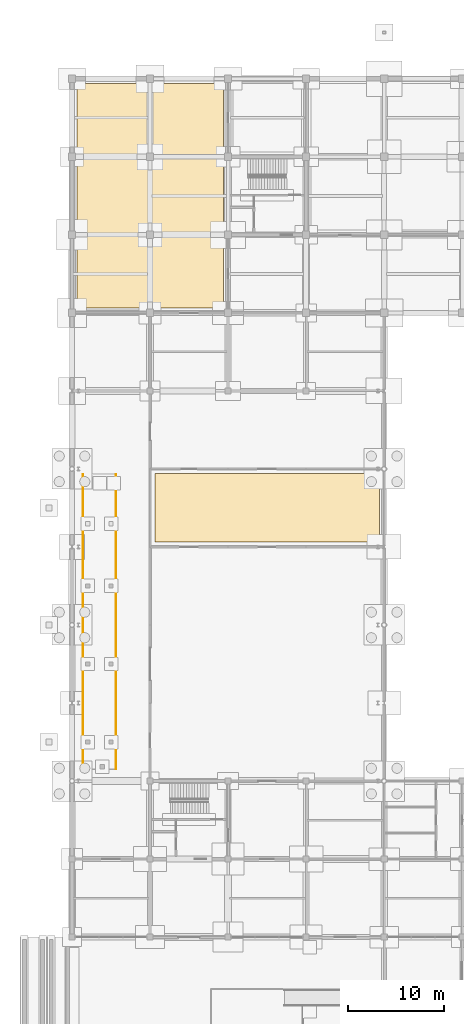
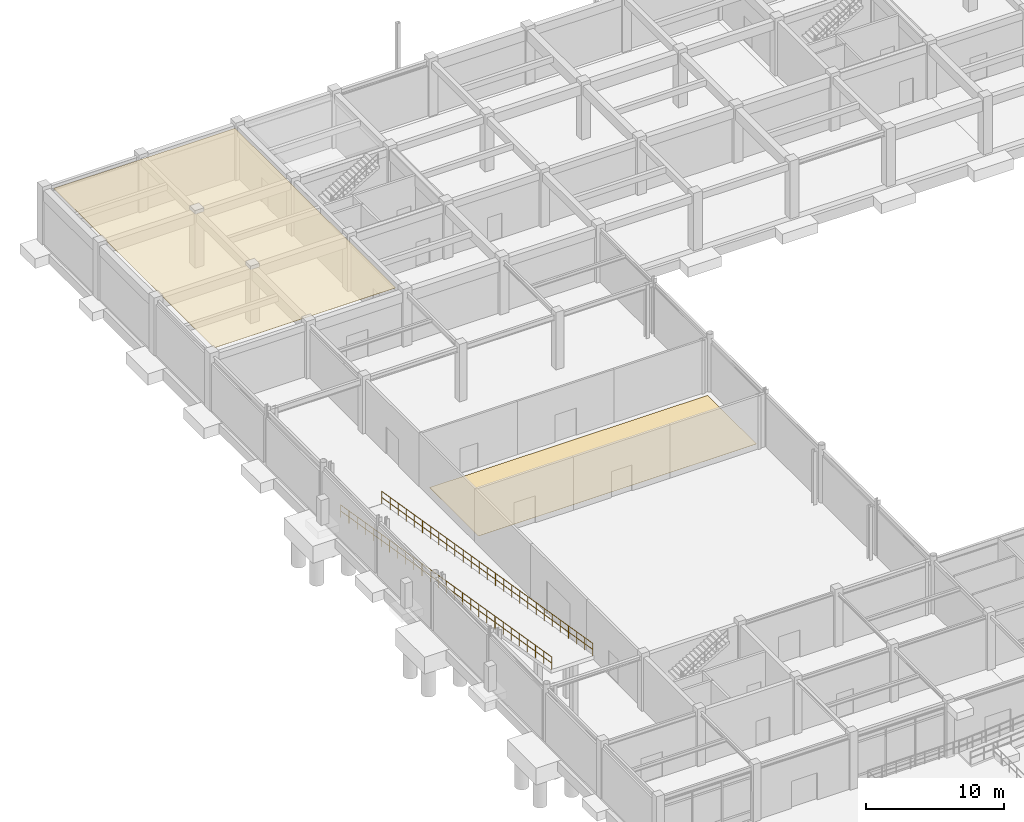
# One storey, part 61 of 67: 2 coverings, 2 railings.
"""IFC4 building model written with IfcOpenShell, lengths in metres."""

from ifc_helpers import new_model, si_unit, direction, frame, origin, origin_2d, place, context, subcontext, project, spatial, polyline, circle, outline, extrude, material, layer, layer_set, type_object, element, save


model = new_model("IFC4")

# Units and contexts
model_context = context("Model", 3, precision=1e-05, world=origin(), true_north=direction((0.0, 1.0)))
body_context = subcontext(model_context, "Body", "Model", "MODEL_VIEW")
ifc_project = project(units=[si_unit("LENGTHUNIT", "METRE"), si_unit("AREAUNIT", "SQUARE_METRE"), si_unit("VOLUMEUNIT", "CUBIC_METRE"), si_unit("PLANEANGLEUNIT", "RADIAN"), si_unit("MASSUNIT", "GRAM", prefix="KILO")], contexts=[model_context])

# Site, building, storey
site_placement = place(None, origin())
site = spatial("IfcSite", under=ifc_project, at=site_placement, CompositionType="ELEMENT")
building_placement = place(site_placement, origin())
building = spatial("IfcBuilding", under=site, at=building_placement, Name="Vaudrelin Polytechnic", CompositionType="ELEMENT")
storey_placement = place(building_placement, frame((0.0, 0.0, -5.10009765625)))
storey = spatial("IfcBuildingStorey", under=building, at=storey_placement, Name="B1", CompositionType="ELEMENT", Elevation=-5.10009765625)

# Coverings
ifc_material_1 = material(Name="Mineral-fibre acoustic ceiling tile NRC 0.85", Category="ceiling")
ifc_layer_1 = layer(ifc_material_1, 0.02490234375)
ifc_layer_set_1 = layer_set([ifc_layer_1], Name="Mineral-fibre acoustic ceiling tile NRC 0.85")
covering_type_1 = type_object("IfcCoveringType", Name="COV-CLG-ACT", PredefinedType="CEILING", material=ifc_layer_set_1)
covering_1_placement = place(storey_placement, frame((0.0, 0.0, 4.755126953125)))
element("IfcCovering", 1, at=covering_1_placement, inside=storey, type_object=covering_type_1, Name="Acoustic ceiling B1-010", PredefinedType="CEILING", context=body_context, shape_type="SweptSolid", body=[
    extrude(outline(polyline([(0.5, 97.699951171875), (15.699951171875, 97.699951171875), (15.699951171875, 121.0), (0.5, 121.0), (0.5, 97.699951171875)])), origin(), (0.0, 0.0, 1.0), 0.02490234375),
])
ifc_material_2 = material(Name="Seamless chemical-resistant laboratory epoxy", Category="flooring")
ifc_layer_2 = layer(ifc_material_2, 0.011962890625)
ifc_layer_set_2 = layer_set([ifc_layer_2], Name="Seamless chemical-resistant laboratory epoxy")
covering_type_2 = type_object("IfcCoveringType", Name="COV-FLR-EPX", PredefinedType="FLOORING", material=ifc_layer_set_2)
covering_2_placement = place(storey_placement, origin())
element("IfcCovering", 2, at=covering_2_placement, inside=storey, type_object=covering_type_2, Name="Chemical-resistant flooring B1-007", PredefinedType="FLOORING", context=body_context, shape_type="SweptSolid", body=[
    extrude(outline(polyline([(8.60009765625, 73.39990234375), (31.89990234375, 73.39990234375), (31.89990234375, 80.5), (8.60009765625, 80.5), (8.60009765625, 73.39990234375)])), origin(), (0.0, 0.0, 1.0), 0.01220703125),
])

# Railings
ifc_material_3 = material(Name="Brushed stainless steel AISI 304", Category="steel")
railing_type = type_object("IfcRailingType", Name="RAL-GR-INT", PredefinedType="GUARDRAIL", material=ifc_material_3)
railing_1_placement = place(storey_placement, frame((1.139892578125, 49.840087890625, 5.10009765625)))
element("IfcRailing", 3, at=railing_1_placement, inside=storey, type_object=railing_type, Name="Vehicle service ramp west sloped guardrail", PredefinedType="GUARDRAIL", context=body_context, shape_type="SweptSolid", body=[
    extrude(circle(Radius=0.02392578125, at=origin_2d()), frame((0.0, 0.022705078125, 1.09228515625), z_axis=(0.0, 0.986393285722, -0.164402815918), x_axis=(-1.0, 0.0, 0.0)), (0.0, 0.0, 1.0), 30.975830078125),
    extrude(circle(Radius=0.02392578125, at=origin_2d()), frame((0.0, 0.022705078125, 0.55615234375), z_axis=(0.0, 0.986393285722, -0.164402815918), x_axis=(-1.0, 0.0, 0.0)), (0.0, 0.0, 1.0), 30.975830078125),
    extrude(circle(Radius=0.02099609375, at=origin_2d()), origin(), (0.0, 0.0, 1.0), 1.1201171875),
    extrude(circle(Radius=0.02099609375, at=origin_2d()), frame((0.0, 1.177001953125, -0.196044921875)), (0.0, 0.0, 1.0), 1.1201171875),
    extrude(circle(Radius=0.02099609375, at=origin_2d()), frame((0.0, 2.353759765625, -0.392333984375)), (0.0, 0.0, 1.0), 1.1201171875),
    extrude(circle(Radius=0.02099609375, at=origin_2d()), frame((0.0, 3.53076171875, -0.58837890625)), (0.0, 0.0, 1.0), 1.1201171875),
    extrude(circle(Radius=0.02099609375, at=origin_2d()), frame((0.0, 4.707763671875, -0.78466796875)), (0.0, 0.0, 1.0), 1.1201171875),
    extrude(circle(Radius=0.02099609375, at=origin_2d()), frame((0.0, 5.884521484375, -0.980712890625)), (0.0, 0.0, 1.0), 1.1201171875),
    extrude(circle(Radius=0.02099609375, at=origin_2d()), frame((0.0, 7.0615234375, -1.177001953125)), (0.0, 0.0, 1.0), 1.1201171875),
    extrude(circle(Radius=0.02099609375, at=origin_2d()), frame((0.0, 8.238525390625, -1.373046875)), (0.0, 0.0, 1.0), 1.1201171875),
    extrude(circle(Radius=0.02099609375, at=origin_2d()), frame((0.0, 9.415283203125, -1.5693359375)), (0.0, 0.0, 1.0), 1.1201171875),
    extrude(circle(Radius=0.02099609375, at=origin_2d()), frame((0.0, 10.59228515625, -1.765380859375)), (0.0, 0.0, 1.0), 1.1201171875),
    extrude(circle(Radius=0.02099609375, at=origin_2d()), frame((0.0, 11.769287109375, -1.961669921875)), (0.0, 0.0, 1.0), 1.1201171875),
    extrude(circle(Radius=0.02099609375, at=origin_2d()), frame((0.0, 12.946044921875, -2.15771484375)), (0.0, 0.0, 1.0), 1.1201171875),
    extrude(circle(Radius=0.02099609375, at=origin_2d()), frame((0.0, 14.123046875, -2.35400390625)), (0.0, 0.0, 1.0), 1.1201171875),
    extrude(circle(Radius=0.02099609375, at=origin_2d()), frame((0.0, 15.2998046875, -2.550048828125)), (0.0, 0.0, 1.0), 1.1201171875),
    extrude(circle(Radius=0.02099609375, at=origin_2d()), frame((0.0, 16.476806640625, -2.74609375)), (0.0, 0.0, 1.0), 1.1201171875),
    extrude(circle(Radius=0.02099609375, at=origin_2d()), frame((0.0, 17.65380859375, -2.9423828125)), (0.0, 0.0, 1.0), 1.1201171875),
    extrude(circle(Radius=0.02099609375, at=origin_2d()), frame((0.0, 18.83056640625, -3.138427734375)), (0.0, 0.0, 1.0), 1.1201171875),
    extrude(circle(Radius=0.02099609375, at=origin_2d()), frame((0.0, 20.007568359375, -3.334716796875)), (0.0, 0.0, 1.0), 1.1201171875),
    extrude(circle(Radius=0.02099609375, at=origin_2d()), frame((0.0, 21.1845703125, -3.53076171875)), (0.0, 0.0, 1.0), 1.1201171875),
    extrude(circle(Radius=0.02099609375, at=origin_2d()), frame((0.0, 22.361328125, -3.72705078125)), (0.0, 0.0, 1.0), 1.1201171875),
    extrude(circle(Radius=0.02099609375, at=origin_2d()), frame((0.0, 23.538330078125, -3.923095703125)), (0.0, 0.0, 1.0), 1.1201171875),
    extrude(circle(Radius=0.02099609375, at=origin_2d()), frame((0.0, 24.71533203125, -4.119384765625)), (0.0, 0.0, 1.0), 1.1201171875),
    extrude(circle(Radius=0.02099609375, at=origin_2d()), frame((0.0, 25.89208984375, -4.3154296875)), (0.0, 0.0, 1.0), 1.1201171875),
    extrude(circle(Radius=0.02099609375, at=origin_2d()), frame((0.0, 27.069091796875, -4.51171875)), (0.0, 0.0, 1.0), 1.1201171875),
    extrude(circle(Radius=0.02099609375, at=origin_2d()), frame((0.0, 28.24609375, -4.707763671875)), (0.0, 0.0, 1.0), 1.1201171875),
    extrude(circle(Radius=0.02099609375, at=origin_2d()), frame((0.0, 29.4228515625, -4.904052734375)), (0.0, 0.0, 1.0), 1.1201171875),
    extrude(circle(Radius=0.02099609375, at=origin_2d()), frame((0.0, 30.599853515625, -5.10009765625)), (0.0, 0.0, 1.0), 1.1201171875),
])
railing_2_placement = place(storey_placement, frame((4.580078125, 49.840087890625, 5.10009765625)))
element("IfcRailing", 4, at=railing_2_placement, inside=storey, type_object=railing_type, Name="Vehicle service ramp east sloped guardrail", PredefinedType="GUARDRAIL", context=body_context, shape_type="SweptSolid", body=[
    extrude(circle(Radius=0.02392578125, at=origin_2d()), frame((0.0, 0.022705078125, 1.09228515625), z_axis=(0.0, 0.986393285722, -0.164402815918), x_axis=(-1.0, 0.0, 0.0)), (0.0, 0.0, 1.0), 30.975830078125),
    extrude(circle(Radius=0.02392578125, at=origin_2d()), frame((0.0, 0.022705078125, 0.55615234375), z_axis=(0.0, 0.986393285722, -0.164402815918), x_axis=(-1.0, 0.0, 0.0)), (0.0, 0.0, 1.0), 30.975830078125),
    extrude(circle(Radius=0.02099609375, at=origin_2d()), origin(), (0.0, 0.0, 1.0), 1.1201171875),
    extrude(circle(Radius=0.02099609375, at=origin_2d()), frame((0.0, 1.177001953125, -0.196044921875)), (0.0, 0.0, 1.0), 1.1201171875),
    extrude(circle(Radius=0.02099609375, at=origin_2d()), frame((0.0, 2.353759765625, -0.392333984375)), (0.0, 0.0, 1.0), 1.1201171875),
    extrude(circle(Radius=0.02099609375, at=origin_2d()), frame((0.0, 3.53076171875, -0.58837890625)), (0.0, 0.0, 1.0), 1.1201171875),
    extrude(circle(Radius=0.02099609375, at=origin_2d()), frame((0.0, 4.707763671875, -0.78466796875)), (0.0, 0.0, 1.0), 1.1201171875),
    extrude(circle(Radius=0.02099609375, at=origin_2d()), frame((0.0, 5.884521484375, -0.980712890625)), (0.0, 0.0, 1.0), 1.1201171875),
    extrude(circle(Radius=0.02099609375, at=origin_2d()), frame((0.0, 7.0615234375, -1.177001953125)), (0.0, 0.0, 1.0), 1.1201171875),
    extrude(circle(Radius=0.02099609375, at=origin_2d()), frame((0.0, 8.238525390625, -1.373046875)), (0.0, 0.0, 1.0), 1.1201171875),
    extrude(circle(Radius=0.02099609375, at=origin_2d()), frame((0.0, 9.415283203125, -1.5693359375)), (0.0, 0.0, 1.0), 1.1201171875),
    extrude(circle(Radius=0.02099609375, at=origin_2d()), frame((0.0, 10.59228515625, -1.765380859375)), (0.0, 0.0, 1.0), 1.1201171875),
    extrude(circle(Radius=0.02099609375, at=origin_2d()), frame((0.0, 11.769287109375, -1.961669921875)), (0.0, 0.0, 1.0), 1.1201171875),
    extrude(circle(Radius=0.02099609375, at=origin_2d()), frame((0.0, 12.946044921875, -2.15771484375)), (0.0, 0.0, 1.0), 1.1201171875),
    extrude(circle(Radius=0.02099609375, at=origin_2d()), frame((0.0, 14.123046875, -2.35400390625)), (0.0, 0.0, 1.0), 1.1201171875),
    extrude(circle(Radius=0.02099609375, at=origin_2d()), frame((0.0, 15.2998046875, -2.550048828125)), (0.0, 0.0, 1.0), 1.1201171875),
    extrude(circle(Radius=0.02099609375, at=origin_2d()), frame((0.0, 16.476806640625, -2.74609375)), (0.0, 0.0, 1.0), 1.1201171875),
    extrude(circle(Radius=0.02099609375, at=origin_2d()), frame((0.0, 17.65380859375, -2.9423828125)), (0.0, 0.0, 1.0), 1.1201171875),
    extrude(circle(Radius=0.02099609375, at=origin_2d()), frame((0.0, 18.83056640625, -3.138427734375)), (0.0, 0.0, 1.0), 1.1201171875),
    extrude(circle(Radius=0.02099609375, at=origin_2d()), frame((0.0, 20.007568359375, -3.334716796875)), (0.0, 0.0, 1.0), 1.1201171875),
    extrude(circle(Radius=0.02099609375, at=origin_2d()), frame((0.0, 21.1845703125, -3.53076171875)), (0.0, 0.0, 1.0), 1.1201171875),
    extrude(circle(Radius=0.02099609375, at=origin_2d()), frame((0.0, 22.361328125, -3.72705078125)), (0.0, 0.0, 1.0), 1.1201171875),
    extrude(circle(Radius=0.02099609375, at=origin_2d()), frame((0.0, 23.538330078125, -3.923095703125)), (0.0, 0.0, 1.0), 1.1201171875),
    extrude(circle(Radius=0.02099609375, at=origin_2d()), frame((0.0, 24.71533203125, -4.119384765625)), (0.0, 0.0, 1.0), 1.1201171875),
    extrude(circle(Radius=0.02099609375, at=origin_2d()), frame((0.0, 25.89208984375, -4.3154296875)), (0.0, 0.0, 1.0), 1.1201171875),
    extrude(circle(Radius=0.02099609375, at=origin_2d()), frame((0.0, 27.069091796875, -4.51171875)), (0.0, 0.0, 1.0), 1.1201171875),
    extrude(circle(Radius=0.02099609375, at=origin_2d()), frame((0.0, 28.24609375, -4.707763671875)), (0.0, 0.0, 1.0), 1.1201171875),
    extrude(circle(Radius=0.02099609375, at=origin_2d()), frame((0.0, 29.4228515625, -4.904052734375)), (0.0, 0.0, 1.0), 1.1201171875),
    extrude(circle(Radius=0.02099609375, at=origin_2d()), frame((0.0, 30.599853515625, -5.10009765625)), (0.0, 0.0, 1.0), 1.1201171875),
])

save(model, "model.ifc")
